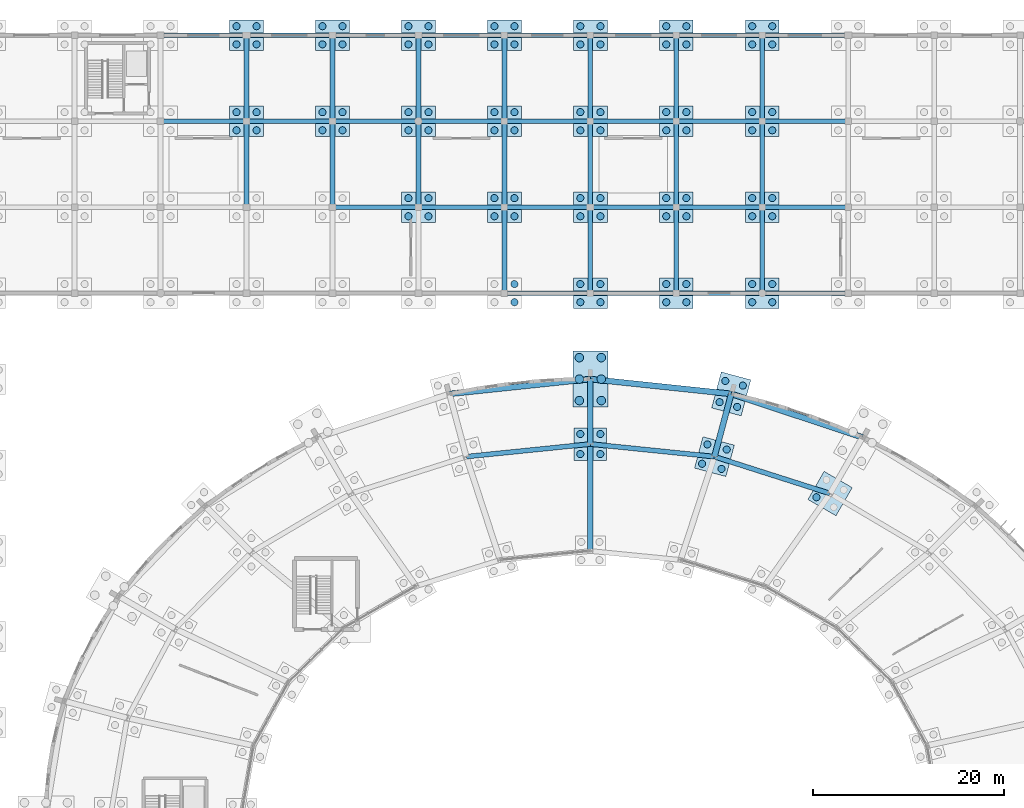
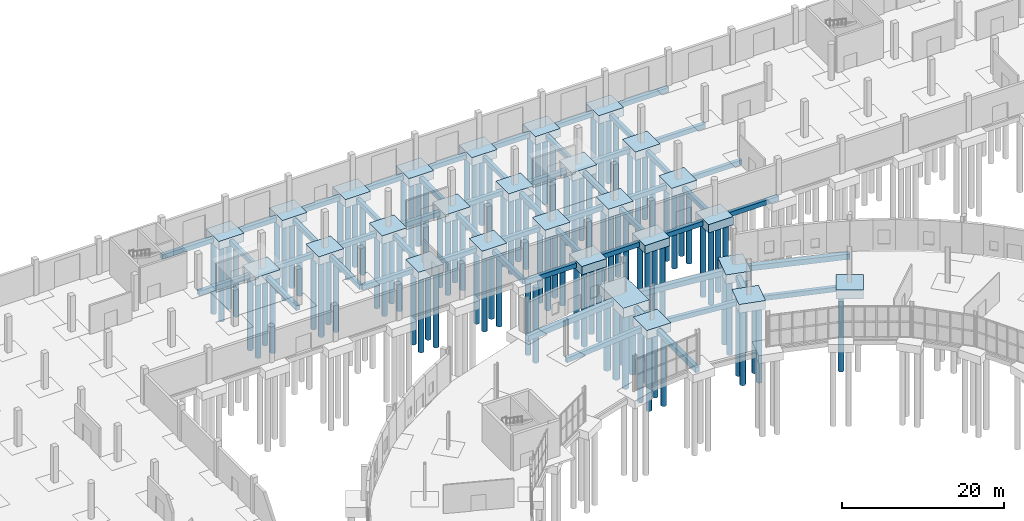
# One storey, part 11 of 118: 109 piles, 80 footings.
"""IFC4 building model written with IfcOpenShell, lengths in metres."""

from ifc_helpers import new_model, si_unit, direction, frame, origin, origin_2d, place, context, subcontext, project, spatial, rectangle, circle, extrude, material, material_profile, profile_set, type_object, element, save


model = new_model("IFC4")

# Units and contexts
model_context = context("Model", 3, precision=1e-05, world=origin(), true_north=direction((0.0, 1.0)))
body_context = subcontext(model_context, "Body", "Model", "MODEL_VIEW")
ifc_project = project(units=[si_unit("LENGTHUNIT", "METRE"), si_unit("AREAUNIT", "SQUARE_METRE"), si_unit("VOLUMEUNIT", "CUBIC_METRE"), si_unit("PLANEANGLEUNIT", "RADIAN"), si_unit("MASSUNIT", "GRAM", prefix="KILO")], contexts=[model_context])

# Site, building, storey
site_placement = place(None, origin())
site = spatial("IfcSite", under=ifc_project, at=site_placement, CompositionType="ELEMENT")
building_placement = place(site_placement, origin())
building = spatial("IfcBuilding", under=site, at=building_placement, Name="Kildeholm Park Wholesale Market", CompositionType="ELEMENT")
storey_placement = place(building_placement, origin())
storey = spatial("IfcBuildingStorey", under=building, at=storey_placement, Name="L00", CompositionType="ELEMENT", Elevation=0.0)

# Piles
ifc_material = material(Name="Concrete C35/45", Category="concrete")
ifc_material_profile_1 = material_profile(ifc_material, circle(Radius=0.375, at=origin_2d()), Name="PILE D750")
ifc_profile_set_1 = profile_set([ifc_material_profile_1], Name="Concrete C35/45")
pile_type_1 = type_object("IfcPileType", Name="Bored pile 750 mm", PredefinedType="BORED", material=ifc_profile_set_1)
for number, where, z_axis, x_axis, name in (
    (1, (122.665771484375, 122.630615234375, -1.199951171875), (0.0, 0.0, -1.0), (1.0, 0.0, 0.0), "Bored pile V1-MD-04.3 PIL-0059"),
    (2, (112.735595703125, 125.594970703125, -1.199951171875), (0.0, 0.0, -1.0), (1.0, 0.0, 0.0), "Bored pile V1-MD-05.1 PIL-0071"),
    (3, (113.279052734375, 127.62353515625, -1.199951171875), (0.0, 0.0, -1.0), (1.0, 0.0, 0.0), "Bored pile V1-MD-05.2 PIL-0072"),
    (4, (110.70703125, 126.138427734375, -1.199951171875), (0.0, 0.0, -1.0), (1.0, 0.0, 0.0), "Bored pile V1-MD-05.3 PIL-0073"),
    (5, (111.25048828125, 128.1669921875, -1.199951171875), (0.0, 0.0, -1.0), (1.0, 0.0, 0.0), "Bored pile V1-MD-05.4 PIL-0074"),
):
    element("IfcPile", number, at=place(storey_placement, frame(where, z_axis=z_axis, x_axis=x_axis)), inside=storey, type_object=pile_type_1, Name=name, PredefinedType="BORED", context=body_context, shape_type="SweptSolid", body=[
        extrude(circle(Radius=0.375, at=origin_2d()), origin(), (0.0, 0.0, 1.0), 11.300048828125),
    ])
for number, where, z_axis, x_axis, name in (
    (6, (114.373046875, 132.09326171875, -1.25), (0.0, 0.0, -1.0), (1.0, 0.0, 0.0), "Bored pile V1-OT-05.1 PIL-0075"),
    (7, (114.96826171875, 134.31494140625, -1.25), (0.0, 0.0, -1.0), (1.0, 0.0, 0.0), "Bored pile V1-OT-05.2 PIL-0076"),
    (8, (112.53759765625, 132.585205078125, -1.25), (0.0, 0.0, -1.0), (1.0, 0.0, 0.0), "Bored pile V1-OT-05.3 PIL-0077"),
    (9, (113.133056640625, 134.806640625, -1.25), (0.0, 0.0, -1.0), (1.0, 0.0, 0.0), "Bored pile V1-OT-05.4 PIL-0078"),
):
    element("IfcPile", number, at=place(storey_placement, frame(where, z_axis=z_axis, x_axis=x_axis)), inside=storey, type_object=pile_type_1, Name=name, PredefinedType="BORED", context=body_context, shape_type="SweptSolid", body=[
        extrude(circle(Radius=0.375, at=origin_2d()), origin(), (0.0, 0.0, 1.0), 11.25),
    ])
for number, where, z_axis, x_axis, name in (
    (10, (100.050048828125, 127.14990234375, -1.199951171875), (0.0, 0.0, -1.0), (1.0, 0.0, 0.0), "Bored pile V1-MD-06.1 PIL-0083"),
    (11, (100.050048828125, 129.25, -1.199951171875), (0.0, 0.0, -1.0), (1.0, 0.0, 0.0), "Bored pile V1-MD-06.2 PIL-0084"),
    (12, (97.949951171875, 127.14990234375, -1.199951171875), (0.0, 0.0, -1.0), (1.0, 0.0, 0.0), "Bored pile V1-MD-06.3 PIL-0085"),
    (13, (97.949951171875, 129.25, -1.199951171875), (0.0, 0.0, -1.0), (1.0, 0.0, 0.0), "Bored pile V1-MD-06.4 PIL-0086"),
):
    element("IfcPile", number, at=place(storey_placement, frame(where, z_axis=z_axis, x_axis=x_axis)), inside=storey, type_object=pile_type_1, Name=name, PredefinedType="BORED", context=body_context, shape_type="SweptSolid", body=[
        extrude(circle(Radius=0.375, at=origin_2d()), origin(), (0.0, 0.0, 1.0), 11.300048828125),
    ])
for number, where, z_axis, x_axis, name in (
    (14, (61.949951171875, 161.050048828125, -1.14990234375), (0.0, 0.0, -1.0), (1.0, 0.0, 0.0), "Bored pile V4-063-162.1 PIL-0645"),
    (15, (64.050048828125, 161.050048828125, -1.14990234375), (0.0, 0.0, -1.0), (1.0, 0.0, 0.0), "Bored pile V4-063-162.2 PIL-0646"),
    (16, (61.949951171875, 162.949951171875, -1.14990234375), (0.0, 0.0, -1.0), (1.0, 0.0, 0.0), "Bored pile V4-063-162.3 PIL-0647"),
    (17, (64.050048828125, 162.949951171875, -1.14990234375), (0.0, 0.0, -1.0), (1.0, 0.0, 0.0), "Bored pile V4-063-162.4 PIL-0648"),
    (18, (61.949951171875, 170.050048828125, -1.14990234375), (0.0, 0.0, -1.0), (1.0, 0.0, 0.0), "Bored pile V4-063-171.1 PIL-0649"),
    (19, (64.050048828125, 170.050048828125, -1.14990234375), (0.0, 0.0, -1.0), (1.0, 0.0, 0.0), "Bored pile V4-063-171.2 PIL-0650"),
    (20, (61.949951171875, 171.949951171875, -1.14990234375), (0.0, 0.0, -1.0), (1.0, 0.0, 0.0), "Bored pile V4-063-171.3 PIL-0651"),
    (21, (64.050048828125, 171.949951171875, -1.14990234375), (0.0, 0.0, -1.0), (1.0, 0.0, 0.0), "Bored pile V4-063-171.4 PIL-0652"),
    (22, (70.949951171875, 161.050048828125, -1.14990234375), (0.0, 0.0, -1.0), (1.0, 0.0, 0.0), "Bored pile V4-072-162.1 PIL-0661"),
    (23, (73.050048828125, 161.050048828125, -1.14990234375), (0.0, 0.0, -1.0), (1.0, 0.0, 0.0), "Bored pile V4-072-162.2 PIL-0662"),
    (24, (70.949951171875, 162.949951171875, -1.14990234375), (0.0, 0.0, -1.0), (1.0, 0.0, 0.0), "Bored pile V4-072-162.3 PIL-0663"),
    (25, (73.050048828125, 162.949951171875, -1.14990234375), (0.0, 0.0, -1.0), (1.0, 0.0, 0.0), "Bored pile V4-072-162.4 PIL-0664"),
    (26, (70.949951171875, 170.050048828125, -1.14990234375), (0.0, 0.0, -1.0), (1.0, 0.0, 0.0), "Bored pile V4-072-171.1 PIL-0665"),
    (27, (73.050048828125, 170.050048828125, -1.14990234375), (0.0, 0.0, -1.0), (1.0, 0.0, 0.0), "Bored pile V4-072-171.2 PIL-0666"),
    (28, (70.949951171875, 171.949951171875, -1.14990234375), (0.0, 0.0, -1.0), (1.0, 0.0, 0.0), "Bored pile V4-072-171.3 PIL-0667"),
    (29, (73.050048828125, 171.949951171875, -1.14990234375), (0.0, 0.0, -1.0), (1.0, 0.0, 0.0), "Bored pile V4-072-171.4 PIL-0668"),
    (30, (79.949951171875, 152.050048828125, -1.14990234375), (0.0, 0.0, -1.0), (1.0, 0.0, 0.0), "Bored pile V4-081-153.1 PIL-0673"),
    (31, (82.050048828125, 152.050048828125, -1.14990234375), (0.0, 0.0, -1.0), (1.0, 0.0, 0.0), "Bored pile V4-081-153.2 PIL-0674"),
    (32, (79.949951171875, 153.949951171875, -1.14990234375), (0.0, 0.0, -1.0), (1.0, 0.0, 0.0), "Bored pile V4-081-153.3 PIL-0675"),
    (33, (82.050048828125, 153.949951171875, -1.14990234375), (0.0, 0.0, -1.0), (1.0, 0.0, 0.0), "Bored pile V4-081-153.4 PIL-0676"),
    (34, (79.949951171875, 161.050048828125, -1.14990234375), (0.0, 0.0, -1.0), (1.0, 0.0, 0.0), "Bored pile V4-081-162.1 PIL-0677"),
    (35, (82.050048828125, 161.050048828125, -1.14990234375), (0.0, 0.0, -1.0), (1.0, 0.0, 0.0), "Bored pile V4-081-162.2 PIL-0678"),
    (36, (79.949951171875, 162.949951171875, -1.14990234375), (0.0, 0.0, -1.0), (1.0, 0.0, 0.0), "Bored pile V4-081-162.3 PIL-0679"),
    (37, (82.050048828125, 162.949951171875, -1.14990234375), (0.0, 0.0, -1.0), (1.0, 0.0, 0.0), "Bored pile V4-081-162.4 PIL-0680"),
    (38, (79.949951171875, 170.050048828125, -1.14990234375), (0.0, 0.0, -1.0), (1.0, 0.0, 0.0), "Bored pile V4-081-171.1 PIL-0681"),
    (39, (82.050048828125, 170.050048828125, -1.14990234375), (0.0, 0.0, -1.0), (1.0, 0.0, 0.0), "Bored pile V4-081-171.2 PIL-0682"),
    (40, (79.949951171875, 171.949951171875, -1.14990234375), (0.0, 0.0, -1.0), (1.0, 0.0, 0.0), "Bored pile V4-081-171.3 PIL-0683"),
    (41, (82.050048828125, 171.949951171875, -1.14990234375), (0.0, 0.0, -1.0), (1.0, 0.0, 0.0), "Bored pile V4-081-171.4 PIL-0684"),
    (42, (91.050048828125, 143.050048828125, -1.14990234375), (0.0, 0.0, -1.0), (1.0, 0.0, 0.0), "Bored pile V4-090-144.2 PIL-0686"),
    (43, (91.050048828125, 144.949951171875, -1.14990234375), (0.0, 0.0, -1.0), (1.0, 0.0, 0.0), "Bored pile V4-090-144.4 PIL-0688"),
    (44, (88.949951171875, 152.050048828125, -1.14990234375), (0.0, 0.0, -1.0), (1.0, 0.0, 0.0), "Bored pile V4-090-153.1 PIL-0689"),
    (45, (91.050048828125, 152.050048828125, -1.14990234375), (0.0, 0.0, -1.0), (1.0, 0.0, 0.0), "Bored pile V4-090-153.2 PIL-0690"),
    (46, (88.949951171875, 153.949951171875, -1.14990234375), (0.0, 0.0, -1.0), (1.0, 0.0, 0.0), "Bored pile V4-090-153.3 PIL-0691"),
    (47, (91.050048828125, 153.949951171875, -1.14990234375), (0.0, 0.0, -1.0), (1.0, 0.0, 0.0), "Bored pile V4-090-153.4 PIL-0692"),
    (48, (88.949951171875, 161.050048828125, -1.14990234375), (0.0, 0.0, -1.0), (1.0, 0.0, 0.0), "Bored pile V4-090-162.1 PIL-0693"),
    (49, (91.050048828125, 161.050048828125, -1.14990234375), (0.0, 0.0, -1.0), (1.0, 0.0, 0.0), "Bored pile V4-090-162.2 PIL-0694"),
    (50, (88.949951171875, 162.949951171875, -1.14990234375), (0.0, 0.0, -1.0), (1.0, 0.0, 0.0), "Bored pile V4-090-162.3 PIL-0695"),
    (51, (91.050048828125, 162.949951171875, -1.14990234375), (0.0, 0.0, -1.0), (1.0, 0.0, 0.0), "Bored pile V4-090-162.4 PIL-0696"),
    (52, (88.949951171875, 170.050048828125, -1.14990234375), (0.0, 0.0, -1.0), (1.0, 0.0, 0.0), "Bored pile V4-090-171.1 PIL-0697"),
    (53, (91.050048828125, 170.050048828125, -1.14990234375), (0.0, 0.0, -1.0), (1.0, 0.0, 0.0), "Bored pile V4-090-171.2 PIL-0698"),
    (54, (88.949951171875, 171.949951171875, -1.14990234375), (0.0, 0.0, -1.0), (1.0, 0.0, 0.0), "Bored pile V4-090-171.3 PIL-0699"),
    (55, (91.050048828125, 171.949951171875, -1.14990234375), (0.0, 0.0, -1.0), (1.0, 0.0, 0.0), "Bored pile V4-090-171.4 PIL-0700"),
    (56, (97.949951171875, 143.050048828125, -1.14990234375), (0.0, 0.0, -1.0), (1.0, 0.0, 0.0), "Bored pile V4-099-144.1 PIL-0701"),
    (57, (100.050048828125, 143.050048828125, -1.14990234375), (0.0, 0.0, -1.0), (1.0, 0.0, 0.0), "Bored pile V4-099-144.2 PIL-0702"),
    (58, (97.949951171875, 144.949951171875, -1.14990234375), (0.0, 0.0, -1.0), (1.0, 0.0, 0.0), "Bored pile V4-099-144.3 PIL-0703"),
    (59, (100.050048828125, 144.949951171875, -1.14990234375), (0.0, 0.0, -1.0), (1.0, 0.0, 0.0), "Bored pile V4-099-144.4 PIL-0704"),
    (60, (97.949951171875, 152.050048828125, -1.14990234375), (0.0, 0.0, -1.0), (1.0, 0.0, 0.0), "Bored pile V4-099-153.1 PIL-0705"),
    (61, (100.050048828125, 152.050048828125, -1.14990234375), (0.0, 0.0, -1.0), (1.0, 0.0, 0.0), "Bored pile V4-099-153.2 PIL-0706"),
    (62, (97.949951171875, 153.949951171875, -1.14990234375), (0.0, 0.0, -1.0), (1.0, 0.0, 0.0), "Bored pile V4-099-153.3 PIL-0707"),
    (63, (100.050048828125, 153.949951171875, -1.14990234375), (0.0, 0.0, -1.0), (1.0, 0.0, 0.0), "Bored pile V4-099-153.4 PIL-0708"),
    (64, (97.949951171875, 161.050048828125, -1.14990234375), (0.0, 0.0, -1.0), (1.0, 0.0, 0.0), "Bored pile V4-099-162.1 PIL-0709"),
    (65, (100.050048828125, 161.050048828125, -1.14990234375), (0.0, 0.0, -1.0), (1.0, 0.0, 0.0), "Bored pile V4-099-162.2 PIL-0710"),
    (66, (97.949951171875, 162.949951171875, -1.14990234375), (0.0, 0.0, -1.0), (1.0, 0.0, 0.0), "Bored pile V4-099-162.3 PIL-0711"),
    (67, (100.050048828125, 162.949951171875, -1.14990234375), (0.0, 0.0, -1.0), (1.0, 0.0, 0.0), "Bored pile V4-099-162.4 PIL-0712"),
    (68, (97.949951171875, 170.050048828125, -1.14990234375), (0.0, 0.0, -1.0), (1.0, 0.0, 0.0), "Bored pile V4-099-171.1 PIL-0713"),
    (69, (100.050048828125, 170.050048828125, -1.14990234375), (0.0, 0.0, -1.0), (1.0, 0.0, 0.0), "Bored pile V4-099-171.2 PIL-0714"),
    (70, (97.949951171875, 171.949951171875, -1.14990234375), (0.0, 0.0, -1.0), (1.0, 0.0, 0.0), "Bored pile V4-099-171.3 PIL-0715"),
    (71, (100.050048828125, 171.949951171875, -1.14990234375), (0.0, 0.0, -1.0), (1.0, 0.0, 0.0), "Bored pile V4-099-171.4 PIL-0716"),
    (72, (106.949951171875, 143.050048828125, -1.14990234375), (0.0, 0.0, -1.0), (1.0, 0.0, 0.0), "Bored pile V4-108-144.1 PIL-0717"),
    (73, (109.050048828125, 143.050048828125, -1.14990234375), (0.0, 0.0, -1.0), (1.0, 0.0, 0.0), "Bored pile V4-108-144.2 PIL-0718"),
    (74, (106.949951171875, 144.949951171875, -1.14990234375), (0.0, 0.0, -1.0), (1.0, 0.0, 0.0), "Bored pile V4-108-144.3 PIL-0719"),
    (75, (109.050048828125, 144.949951171875, -1.14990234375), (0.0, 0.0, -1.0), (1.0, 0.0, 0.0), "Bored pile V4-108-144.4 PIL-0720"),
    (76, (106.949951171875, 152.050048828125, -1.14990234375), (0.0, 0.0, -1.0), (1.0, 0.0, 0.0), "Bored pile V4-108-153.1 PIL-0721"),
    (77, (109.050048828125, 152.050048828125, -1.14990234375), (0.0, 0.0, -1.0), (1.0, 0.0, 0.0), "Bored pile V4-108-153.2 PIL-0722"),
    (78, (106.949951171875, 153.949951171875, -1.14990234375), (0.0, 0.0, -1.0), (1.0, 0.0, 0.0), "Bored pile V4-108-153.3 PIL-0723"),
    (79, (109.050048828125, 153.949951171875, -1.14990234375), (0.0, 0.0, -1.0), (1.0, 0.0, 0.0), "Bored pile V4-108-153.4 PIL-0724"),
    (80, (106.949951171875, 161.050048828125, -1.14990234375), (0.0, 0.0, -1.0), (1.0, 0.0, 0.0), "Bored pile V4-108-162.1 PIL-0725"),
    (81, (109.050048828125, 161.050048828125, -1.14990234375), (0.0, 0.0, -1.0), (1.0, 0.0, 0.0), "Bored pile V4-108-162.2 PIL-0726"),
    (82, (106.949951171875, 162.949951171875, -1.14990234375), (0.0, 0.0, -1.0), (1.0, 0.0, 0.0), "Bored pile V4-108-162.3 PIL-0727"),
    (83, (109.050048828125, 162.949951171875, -1.14990234375), (0.0, 0.0, -1.0), (1.0, 0.0, 0.0), "Bored pile V4-108-162.4 PIL-0728"),
    (84, (106.949951171875, 170.050048828125, -1.14990234375), (0.0, 0.0, -1.0), (1.0, 0.0, 0.0), "Bored pile V4-108-171.1 PIL-0729"),
    (85, (109.050048828125, 170.050048828125, -1.14990234375), (0.0, 0.0, -1.0), (1.0, 0.0, 0.0), "Bored pile V4-108-171.2 PIL-0730"),
    (86, (106.949951171875, 171.949951171875, -1.14990234375), (0.0, 0.0, -1.0), (1.0, 0.0, 0.0), "Bored pile V4-108-171.3 PIL-0731"),
    (87, (109.050048828125, 171.949951171875, -1.14990234375), (0.0, 0.0, -1.0), (1.0, 0.0, 0.0), "Bored pile V4-108-171.4 PIL-0732"),
    (88, (115.949951171875, 143.050048828125, -1.14990234375), (0.0, 0.0, -1.0), (1.0, 0.0, 0.0), "Bored pile V4-117-144.1 PIL-0733"),
    (89, (118.050048828125, 143.050048828125, -1.14990234375), (0.0, 0.0, -1.0), (1.0, 0.0, 0.0), "Bored pile V4-117-144.2 PIL-0734"),
    (90, (115.949951171875, 144.949951171875, -1.14990234375), (0.0, 0.0, -1.0), (1.0, 0.0, 0.0), "Bored pile V4-117-144.3 PIL-0735"),
    (91, (118.050048828125, 144.949951171875, -1.14990234375), (0.0, 0.0, -1.0), (1.0, 0.0, 0.0), "Bored pile V4-117-144.4 PIL-0736"),
    (92, (115.949951171875, 152.050048828125, -1.14990234375), (0.0, 0.0, -1.0), (1.0, 0.0, 0.0), "Bored pile V4-117-153.1 PIL-0737"),
    (93, (118.050048828125, 152.050048828125, -1.14990234375), (0.0, 0.0, -1.0), (1.0, 0.0, 0.0), "Bored pile V4-117-153.2 PIL-0738"),
    (94, (115.949951171875, 153.949951171875, -1.14990234375), (0.0, 0.0, -1.0), (1.0, 0.0, 0.0), "Bored pile V4-117-153.3 PIL-0739"),
    (95, (118.050048828125, 153.949951171875, -1.14990234375), (0.0, 0.0, -1.0), (1.0, 0.0, 0.0), "Bored pile V4-117-153.4 PIL-0740"),
    (96, (115.949951171875, 161.050048828125, -1.14990234375), (0.0, 0.0, -1.0), (1.0, 0.0, 0.0), "Bored pile V4-117-162.1 PIL-0741"),
    (97, (118.050048828125, 161.050048828125, -1.14990234375), (0.0, 0.0, -1.0), (1.0, 0.0, 0.0), "Bored pile V4-117-162.2 PIL-0742"),
    (98, (115.949951171875, 162.949951171875, -1.14990234375), (0.0, 0.0, -1.0), (1.0, 0.0, 0.0), "Bored pile V4-117-162.3 PIL-0743"),
    (99, (118.050048828125, 162.949951171875, -1.14990234375), (0.0, 0.0, -1.0), (1.0, 0.0, 0.0), "Bored pile V4-117-162.4 PIL-0744"),
    (100, (115.949951171875, 170.050048828125, -1.14990234375), (0.0, 0.0, -1.0), (1.0, 0.0, 0.0), "Bored pile V4-117-171.1 PIL-0745"),
    (101, (118.050048828125, 170.050048828125, -1.14990234375), (0.0, 0.0, -1.0), (1.0, 0.0, 0.0), "Bored pile V4-117-171.2 PIL-0746"),
    (102, (115.949951171875, 171.949951171875, -1.14990234375), (0.0, 0.0, -1.0), (1.0, 0.0, 0.0), "Bored pile V4-117-171.3 PIL-0747"),
    (103, (118.050048828125, 171.949951171875, -1.14990234375), (0.0, 0.0, -1.0), (1.0, 0.0, 0.0), "Bored pile V4-117-171.4 PIL-0748"),
):
    element("IfcPile", number, at=place(storey_placement, frame(where, z_axis=z_axis, x_axis=x_axis)), inside=storey, type_object=pile_type_1, Name=name, PredefinedType="BORED", context=body_context, shape_type="SweptSolid", body=[
        extrude(circle(Radius=0.375, at=origin_2d()), origin(), (0.0, 0.0, 1.0), 11.35009765625),
    ])
ifc_material_profile_2 = material_profile(ifc_material, circle(Radius=0.449951171875, at=origin_2d()), Name="PILE D900")
ifc_profile_set_2 = profile_set([ifc_material_profile_2], Name="Concrete C35/45")
pile_type_2 = type_object("IfcPileType", Name="Bored pile 900 mm", PredefinedType="BORED", material=ifc_profile_set_2)
for number, where, z_axis, x_axis, name in (
    (104, (100.14990234375, 132.75, -1.35009765625), (0.0, 0.0, -1.0), (1.0, 0.0, 0.0), "Bored pile V1-OT-06.1 PIL-0087"),
    (105, (100.14990234375, 135.0, -1.35009765625), (0.0, 0.0, -1.0), (1.0, 0.0, 0.0), "Bored pile V1-OT-06.2 PIL-0088"),
    (106, (100.14990234375, 137.25, -1.35009765625), (0.0, 0.0, -1.0), (1.0, 0.0, 0.0), "Bored pile V1-OT-06.3 PIL-0089"),
    (107, (97.85009765625, 132.75, -1.35009765625), (0.0, 0.0, -1.0), (1.0, 0.0, 0.0), "Bored pile V1-OT-06.4 PIL-0090"),
    (108, (97.85009765625, 135.0, -1.35009765625), (0.0, 0.0, -1.0), (1.0, 0.0, 0.0), "Bored pile V1-OT-06.5 PIL-0091"),
    (109, (97.85009765625, 137.25, -1.35009765625), (0.0, 0.0, -1.0), (1.0, 0.0, 0.0), "Bored pile V1-OT-06.6 PIL-0092"),
):
    element("IfcPile", number, at=place(storey_placement, frame(where, z_axis=z_axis, x_axis=x_axis)), inside=storey, type_object=pile_type_2, Name=name, PredefinedType="BORED", context=body_context, shape_type="SweptSolid", body=[
        extrude(circle(Radius=0.449951171875, at=origin_2d()), origin(), (0.0, 0.0, 1.0), 11.14990234375),
    ])

# Footings
ifc_material_profile_3 = material_profile(ifc_material, rectangle(XDim=0.5, YDim=0.699951171875, at=origin_2d()), Name="FB 500x700")
ifc_profile_set_3 = profile_set([ifc_material_profile_3], Name="Concrete C35/45")
footing_type_1 = type_object("IfcFootingType", Name="Ground tie beam GB-1 FB 500x700", PredefinedType="FOOTING_BEAM", material=ifc_profile_set_3)
footing_1_placement = place(storey_placement, frame((124.10009765625, 123.014892578125, -0.64990234375), z_axis=(-0.952608649326, 0.304198555599, 0.0), x_axis=(-0.304198555599, -0.952608649326, 0.0)))
element("IfcFooting", 110, at=footing_1_placement, inside=storey, type_object=footing_type_1, Name="Ground tie beam GB-V1-CMD-04 FTG-0096", PredefinedType="FOOTING_BEAM", context=body_context, shape_type="SweptSolid", body=[
    extrude(rectangle(XDim=0.5, YDim=0.699951171875, at=origin_2d()), origin(), (0.0, 0.0, 1.0), 12.70947265625),
])
for number, where, z_axis, x_axis, name in (
    (111, (111.992919921875, 126.881103515625, -0.64990234375), (-0.994887827563, 0.100986189979, 0.0), (-0.100986189979, -0.994887827563, 0.0), "Ground tie beam GB-V1-CMD-05 FTG-0101"),
    (112, (99.0, 128.199951171875, -0.64990234375), (-0.994887827563, -0.100986189979, 0.0), (0.100986189979, -0.994887827563, 0.0), "Ground tie beam GB-V1-CMD-06 FTG-0106"),
):
    element("IfcFooting", number, at=place(storey_placement, frame(where, z_axis=z_axis, x_axis=x_axis)), inside=storey, type_object=footing_type_1, Name=name, PredefinedType="FOOTING_BEAM", context=body_context, shape_type="SweptSolid", body=[
        extrude(rectangle(XDim=0.5, YDim=0.699951171875, at=origin_2d()), origin(), (0.0, 0.0, 1.0), 13.0595703125),
    ])
for number, where, z_axis, x_axis, name in (
    (113, (54.0, 162.0, -0.64990234375), (1.0, 0.0, 0.0), (0.0, 1.0, 0.0), "Ground tie beam GB-V4-X-054-162 FTG-0489"),
    (114, (54.0, 171.0, -0.64990234375), (1.0, 0.0, 0.0), (0.0, 1.0, 0.0), "Ground tie beam GB-V4-X-054-171 FTG-0491"),
    (115, (63.0, 153.0, -0.64990234375), (0.0, 1.0, 0.0), (-1.0, 0.0, 0.0), "Ground tie beam GB-V4-Y-063-153 FTG-0495"),
    (116, (63.0, 162.0, -0.64990234375), (1.0, 0.0, 0.0), (0.0, 1.0, 0.0), "Ground tie beam GB-V4-X-063-162 FTG-0496"),
    (117, (63.0, 162.0, -0.64990234375), (0.0, 1.0, 0.0), (-1.0, 0.0, 0.0), "Ground tie beam GB-V4-Y-063-162 FTG-0497"),
    (118, (63.0, 171.0, -0.64990234375), (1.0, 0.0, 0.0), (0.0, 1.0, 0.0), "Ground tie beam GB-V4-X-063-171 FTG-0498"),
    (119, (72.0, 153.0, -0.64990234375), (1.0, 0.0, 0.0), (0.0, 1.0, 0.0), "Ground tie beam GB-V4-X-072-153 FTG-0501"),
    (120, (72.0, 153.0, -0.64990234375), (0.0, 1.0, 0.0), (-1.0, 0.0, 0.0), "Ground tie beam GB-V4-Y-072-153 FTG-0502"),
    (121, (72.0, 162.0, -0.64990234375), (1.0, 0.0, 0.0), (0.0, 1.0, 0.0), "Ground tie beam GB-V4-X-072-162 FTG-0503"),
    (122, (72.0, 162.0, -0.64990234375), (0.0, 1.0, 0.0), (-1.0, 0.0, 0.0), "Ground tie beam GB-V4-Y-072-162 FTG-0504"),
    (123, (72.0, 171.0, -0.64990234375), (1.0, 0.0, 0.0), (0.0, 1.0, 0.0), "Ground tie beam GB-V4-X-072-171 FTG-0505"),
    (124, (81.0, 153.0, -0.64990234375), (1.0, 0.0, 0.0), (0.0, 1.0, 0.0), "Ground tie beam GB-V4-X-081-153 FTG-0508"),
    (125, (81.0, 153.0, -0.64990234375), (0.0, 1.0, 0.0), (-1.0, 0.0, 0.0), "Ground tie beam GB-V4-Y-081-153 FTG-0509"),
    (126, (81.0, 162.0, -0.64990234375), (1.0, 0.0, 0.0), (0.0, 1.0, 0.0), "Ground tie beam GB-V4-X-081-162 FTG-0510"),
    (127, (81.0, 162.0, -0.64990234375), (0.0, 1.0, 0.0), (-1.0, 0.0, 0.0), "Ground tie beam GB-V4-Y-081-162 FTG-0511"),
    (128, (81.0, 171.0, -0.64990234375), (1.0, 0.0, 0.0), (0.0, 1.0, 0.0), "Ground tie beam GB-V4-X-081-171 FTG-0512"),
    (129, (90.0, 144.0, -0.64990234375), (1.0, 0.0, 0.0), (0.0, 1.0, 0.0), "Ground tie beam GB-V4-X-090-144 FTG-0513"),
    (130, (90.0, 144.0, -0.64990234375), (0.0, 1.0, 0.0), (-1.0, 0.0, 0.0), "Ground tie beam GB-V4-Y-090-144 FTG-0514"),
    (131, (90.0, 153.0, -0.64990234375), (1.0, 0.0, 0.0), (0.0, 1.0, 0.0), "Ground tie beam GB-V4-X-090-153 FTG-0515"),
    (132, (90.0, 153.0, -0.64990234375), (0.0, 1.0, 0.0), (-1.0, 0.0, 0.0), "Ground tie beam GB-V4-Y-090-153 FTG-0516"),
    (133, (90.0, 162.0, -0.64990234375), (1.0, 0.0, 0.0), (0.0, 1.0, 0.0), "Ground tie beam GB-V4-X-090-162 FTG-0517"),
    (134, (90.0, 162.0, -0.64990234375), (0.0, 1.0, 0.0), (-1.0, 0.0, 0.0), "Ground tie beam GB-V4-Y-090-162 FTG-0518"),
    (135, (90.0, 171.0, -0.64990234375), (1.0, 0.0, 0.0), (0.0, 1.0, 0.0), "Ground tie beam GB-V4-X-090-171 FTG-0519"),
    (136, (99.0, 144.0, -0.64990234375), (1.0, 0.0, 0.0), (0.0, 1.0, 0.0), "Ground tie beam GB-V4-X-099-144 FTG-0520"),
    (137, (99.0, 144.0, -0.64990234375), (0.0, 1.0, 0.0), (-1.0, 0.0, 0.0), "Ground tie beam GB-V4-Y-099-144 FTG-0521"),
    (138, (99.0, 153.0, -0.64990234375), (1.0, 0.0, 0.0), (0.0, 1.0, 0.0), "Ground tie beam GB-V4-X-099-153 FTG-0522"),
    (139, (99.0, 153.0, -0.64990234375), (0.0, 1.0, 0.0), (-1.0, 0.0, 0.0), "Ground tie beam GB-V4-Y-099-153 FTG-0523"),
    (140, (99.0, 162.0, -0.64990234375), (1.0, 0.0, 0.0), (0.0, 1.0, 0.0), "Ground tie beam GB-V4-X-099-162 FTG-0524"),
    (141, (99.0, 162.0, -0.64990234375), (0.0, 1.0, 0.0), (-1.0, 0.0, 0.0), "Ground tie beam GB-V4-Y-099-162 FTG-0525"),
    (142, (99.0, 171.0, -0.64990234375), (1.0, 0.0, 0.0), (0.0, 1.0, 0.0), "Ground tie beam GB-V4-X-099-171 FTG-0526"),
    (143, (108.0, 144.0, -0.64990234375), (1.0, 0.0, 0.0), (0.0, 1.0, 0.0), "Ground tie beam GB-V4-X-108-144 FTG-0527"),
    (144, (108.0, 144.0, -0.64990234375), (0.0, 1.0, 0.0), (-1.0, 0.0, 0.0), "Ground tie beam GB-V4-Y-108-144 FTG-0528"),
    (145, (108.0, 153.0, -0.64990234375), (1.0, 0.0, 0.0), (0.0, 1.0, 0.0), "Ground tie beam GB-V4-X-108-153 FTG-0529"),
    (146, (108.0, 153.0, -0.64990234375), (0.0, 1.0, 0.0), (-1.0, 0.0, 0.0), "Ground tie beam GB-V4-Y-108-153 FTG-0530"),
    (147, (108.0, 162.0, -0.64990234375), (1.0, 0.0, 0.0), (0.0, 1.0, 0.0), "Ground tie beam GB-V4-X-108-162 FTG-0531"),
    (148, (108.0, 162.0, -0.64990234375), (0.0, 1.0, 0.0), (-1.0, 0.0, 0.0), "Ground tie beam GB-V4-Y-108-162 FTG-0532"),
    (149, (108.0, 171.0, -0.64990234375), (1.0, 0.0, 0.0), (0.0, 1.0, 0.0), "Ground tie beam GB-V4-X-108-171 FTG-0533"),
    (150, (117.0, 144.0, -0.64990234375), (1.0, 0.0, 0.0), (0.0, 1.0, 0.0), "Ground tie beam GB-V4-X-117-144 FTG-0534"),
    (151, (117.0, 144.0, -0.64990234375), (0.0, 1.0, 0.0), (-1.0, 0.0, 0.0), "Ground tie beam GB-V4-Y-117-144 FTG-0535"),
    (152, (117.0, 153.0, -0.64990234375), (1.0, 0.0, 0.0), (0.0, 1.0, 0.0), "Ground tie beam GB-V4-X-117-153 FTG-0536"),
    (153, (117.0, 153.0, -0.64990234375), (0.0, 1.0, 0.0), (-1.0, 0.0, 0.0), "Ground tie beam GB-V4-Y-117-153 FTG-0537"),
    (154, (117.0, 162.0, -0.64990234375), (1.0, 0.0, 0.0), (0.0, 1.0, 0.0), "Ground tie beam GB-V4-X-117-162 FTG-0538"),
    (155, (117.0, 162.0, -0.64990234375), (0.0, 1.0, 0.0), (-1.0, 0.0, 0.0), "Ground tie beam GB-V4-Y-117-162 FTG-0539"),
    (156, (117.0, 171.0, -0.64990234375), (1.0, 0.0, 0.0), (0.0, 1.0, 0.0), "Ground tie beam GB-V4-X-117-171 FTG-0540"),
):
    element("IfcFooting", number, at=place(storey_placement, frame(where, z_axis=z_axis, x_axis=x_axis)), inside=storey, type_object=footing_type_1, Name=name, PredefinedType="FOOTING_BEAM", context=body_context, shape_type="SweptSolid", body=[
        extrude(rectangle(XDim=0.5, YDim=0.699951171875, at=origin_2d()), origin(), (0.0, 0.0, 1.0), 9.0),
    ])
ifc_material_profile_4 = material_profile(ifc_material, rectangle(XDim=0.60009765625, YDim=0.800048828125, at=origin_2d()), Name="FB 600x800")
ifc_profile_set_4 = profile_set([ifc_material_profile_4], Name="Concrete C35/45")
footing_type_2 = type_object("IfcFootingType", Name="Ground tie beam GB-2 FB 600x800", PredefinedType="FOOTING_BEAM", material=ifc_profile_set_4)
footing_2_placement = place(storey_placement, frame((127.5, 128.904052734375, -0.699951171875), z_axis=(-0.949435985478, 0.313960681424, 0.0), x_axis=(-0.313960681424, -0.949435985478, 0.0)))
element("IfcFooting", 157, at=footing_2_placement, inside=storey, type_object=footing_type_2, Name="Ground tie beam GB-V1-COT-04 FTG-0097", PredefinedType="FOOTING_BEAM", context=body_context, shape_type="SweptSolid", body=[
    extrude(rectangle(XDim=0.60009765625, YDim=0.800048828125, at=origin_2d()), origin(), (0.0, 0.0, 1.0), 14.479248046875),
])
footing_3_placement = place(storey_placement, frame((111.992919921875, 126.881103515625, -0.699951171875), z_axis=(0.258804274594, 0.965929783914, 0.0), x_axis=(-0.965929783914, 0.258804274594, 0.0)))
element("IfcFooting", 158, at=footing_3_placement, inside=storey, type_object=footing_type_2, Name="Ground tie beam GB-V1-RAD2-05 FTG-0099", PredefinedType="FOOTING_BEAM", context=body_context, shape_type="SweptSolid", body=[
    extrude(rectangle(XDim=0.60009765625, YDim=0.800048828125, at=origin_2d()), origin(), (0.0, 0.0, 1.0), 6.800537109375),
])
footing_4_placement = place(storey_placement, frame((113.7529296875, 133.449951171875, -0.699951171875), z_axis=(-0.99452572496, 0.104492020715, 0.0), x_axis=(-0.104492020715, -0.99452572496, 0.0)))
element("IfcFooting", 159, at=footing_4_placement, inside=storey, type_object=footing_type_2, Name="Ground tie beam GB-V1-COT-05 FTG-0102", PredefinedType="FOOTING_BEAM", context=body_context, shape_type="SweptSolid", body=[
    extrude(rectangle(XDim=0.60009765625, YDim=0.800048828125, at=origin_2d()), origin(), (0.0, 0.0, 1.0), 14.834228515625),
])
footing_5_placement = place(storey_placement, frame((99.0, 117.0, -0.699951171875), z_axis=(0.0, 1.0, 0.0), x_axis=(-1.0, 0.0, 0.0)))
element("IfcFooting", 160, at=footing_5_placement, inside=storey, type_object=footing_type_2, Name="Ground tie beam GB-V1-RAD1-06 FTG-0103", PredefinedType="FOOTING_BEAM", context=body_context, shape_type="SweptSolid", body=[
    extrude(rectangle(XDim=0.60009765625, YDim=0.800048828125, at=origin_2d()), origin(), (0.0, 0.0, 1.0), 11.199951171875),
])
footing_6_placement = place(storey_placement, frame((99.0, 128.199951171875, -0.699951171875), z_axis=(0.0, 1.0, 0.0), x_axis=(-1.0, 0.0, 0.0)))
element("IfcFooting", 161, at=footing_6_placement, inside=storey, type_object=footing_type_2, Name="Ground tie beam GB-V1-RAD2-06 FTG-0104", PredefinedType="FOOTING_BEAM", context=body_context, shape_type="SweptSolid", body=[
    extrude(rectangle(XDim=0.60009765625, YDim=0.800048828125, at=origin_2d()), origin(), (0.0, 0.0, 1.0), 6.800048828125),
])
footing_7_placement = place(storey_placement, frame((99.0, 135.0, -0.699951171875), z_axis=(-0.99452572496, -0.104492020715, 0.0), x_axis=(0.104492020715, -0.99452572496, 0.0)))
element("IfcFooting", 162, at=footing_7_placement, inside=storey, type_object=footing_type_2, Name="Ground tie beam GB-V1-COT-06 FTG-0107", PredefinedType="FOOTING_BEAM", context=body_context, shape_type="SweptSolid", body=[
    extrude(rectangle(XDim=0.60009765625, YDim=0.800048828125, at=origin_2d()), origin(), (0.0, 0.0, 1.0), 14.834228515625),
])
footing_type_3 = type_object("IfcFootingType", Name="Pile cap PC-4C 3400x3400x1300", PredefinedType="PILE_CAP", material=ifc_material)
for number, where, z_axis, x_axis, name in (
    (163, (124.10009765625, 123.014892578125, -1.2998046875), (0.0, 0.0, 1.0), (0.5, 0.866025403784, 0.0), "Pile cap V1-MD-04 FTG-0014"),
    (164, (111.992919921875, 126.881103515625, -1.2998046875), (0.0, 0.0, 1.0), (0.258819045103, 0.965925826289, 0.0), "Pile cap V1-MD-05 FTG-0017"),
    (165, (99.0, 128.199951171875, -1.2998046875), (0.0, 0.0, 1.0), (0.0, 1.0, 0.0), "Pile cap V1-MD-06 FTG-0020"),
):
    element("IfcFooting", number, at=place(storey_placement, frame(where, z_axis=z_axis, x_axis=x_axis)), inside=storey, type_object=footing_type_3, Name=name, PredefinedType="PILE_CAP", context=body_context, shape_type="SweptSolid", body=[
        extrude(rectangle(XDim=3.39990234375, YDim=3.39990234375, at=origin_2d()), origin(), (0.0, 0.0, 1.0), 1.300048828125),
    ])
footing_type_4 = type_object("IfcFootingType", Name="Pile cap PC-4D 3550x3200x1250", PredefinedType="PILE_CAP", material=ifc_material)
for number, where, z_axis, x_axis, name in (
    (166, (63.0, 162.0, -1.25), (0.0, 0.0, 1.0), (1.0, 0.0, 0.0), "Pile cap V4-063-162 FTG-0344"),
    (167, (63.0, 171.0, -1.25), (0.0, 0.0, 1.0), (1.0, 0.0, 0.0), "Pile cap V4-063-171 FTG-0345"),
    (168, (72.0, 162.0, -1.25), (0.0, 0.0, 1.0), (1.0, 0.0, 0.0), "Pile cap V4-072-162 FTG-0348"),
    (169, (72.0, 171.0, -1.25), (0.0, 0.0, 1.0), (1.0, 0.0, 0.0), "Pile cap V4-072-171 FTG-0349"),
    (170, (81.0, 153.0, -1.25), (0.0, 0.0, 1.0), (1.0, 0.0, 0.0), "Pile cap V4-081-153 FTG-0351"),
    (171, (81.0, 162.0, -1.25), (0.0, 0.0, 1.0), (1.0, 0.0, 0.0), "Pile cap V4-081-162 FTG-0352"),
    (172, (81.0, 171.0, -1.25), (0.0, 0.0, 1.0), (1.0, 0.0, 0.0), "Pile cap V4-081-171 FTG-0353"),
    (173, (90.0, 153.0, -1.25), (0.0, 0.0, 1.0), (1.0, 0.0, 0.0), "Pile cap V4-090-153 FTG-0355"),
    (174, (90.0, 162.0, -1.25), (0.0, 0.0, 1.0), (1.0, 0.0, 0.0), "Pile cap V4-090-162 FTG-0356"),
    (175, (90.0, 171.0, -1.25), (0.0, 0.0, 1.0), (1.0, 0.0, 0.0), "Pile cap V4-090-171 FTG-0357"),
    (176, (99.0, 144.0, -1.25), (0.0, 0.0, 1.0), (1.0, 0.0, 0.0), "Pile cap V4-099-144 FTG-0358"),
    (177, (99.0, 153.0, -1.25), (0.0, 0.0, 1.0), (1.0, 0.0, 0.0), "Pile cap V4-099-153 FTG-0359"),
    (178, (99.0, 162.0, -1.25), (0.0, 0.0, 1.0), (1.0, 0.0, 0.0), "Pile cap V4-099-162 FTG-0360"),
    (179, (99.0, 171.0, -1.25), (0.0, 0.0, 1.0), (1.0, 0.0, 0.0), "Pile cap V4-099-171 FTG-0361"),
    (180, (108.0, 144.0, -1.25), (0.0, 0.0, 1.0), (1.0, 0.0, 0.0), "Pile cap V4-108-144 FTG-0362"),
    (181, (108.0, 153.0, -1.25), (0.0, 0.0, 1.0), (1.0, 0.0, 0.0), "Pile cap V4-108-153 FTG-0363"),
    (182, (108.0, 162.0, -1.25), (0.0, 0.0, 1.0), (1.0, 0.0, 0.0), "Pile cap V4-108-162 FTG-0364"),
    (183, (108.0, 171.0, -1.25), (0.0, 0.0, 1.0), (1.0, 0.0, 0.0), "Pile cap V4-108-171 FTG-0365"),
    (184, (117.0, 144.0, -1.25), (0.0, 0.0, 1.0), (1.0, 0.0, 0.0), "Pile cap V4-117-144 FTG-0366"),
    (185, (117.0, 153.0, -1.25), (0.0, 0.0, 1.0), (1.0, 0.0, 0.0), "Pile cap V4-117-153 FTG-0367"),
    (186, (117.0, 162.0, -1.25), (0.0, 0.0, 1.0), (1.0, 0.0, 0.0), "Pile cap V4-117-162 FTG-0368"),
    (187, (117.0, 171.0, -1.25), (0.0, 0.0, 1.0), (1.0, 0.0, 0.0), "Pile cap V4-117-171 FTG-0369"),
):
    element("IfcFooting", number, at=place(storey_placement, frame(where, z_axis=z_axis, x_axis=x_axis)), inside=storey, type_object=footing_type_4, Name=name, PredefinedType="PILE_CAP", context=body_context, shape_type="SweptSolid", body=[
        extrude(rectangle(XDim=3.550048828125, YDim=3.199951171875, at=origin_2d()), origin(), (0.0, 0.0, 1.0), 1.25),
    ])
footing_type_5 = type_object("IfcFootingType", Name="Pile cap PC-4E 3900x3200x1350", PredefinedType="PILE_CAP", material=ifc_material)
footing_8_placement = place(storey_placement, frame((113.7529296875, 133.449951171875, -1.35009765625), z_axis=(0.0, 0.0, 1.0), x_axis=(0.258819045103, 0.965925826289, 0.0)))
element("IfcFooting", 188, at=footing_8_placement, inside=storey, type_object=footing_type_5, Name="Pile cap V1-OT-05 FTG-0018", PredefinedType="PILE_CAP", context=body_context, shape_type="SweptSolid", body=[
    extrude(rectangle(XDim=3.89990234375, YDim=3.199951171875, at=origin_2d()), origin(), (0.0, 0.0, 1.0), 1.35009765625),
])
footing_type_6 = type_object("IfcFootingType", Name="Pile cap PC-6A 5850x3650x1450", PredefinedType="PILE_CAP", material=ifc_material)
footing_9_placement = place(storey_placement, frame((99.0, 135.0, -1.4501953125), z_axis=(0.0, 0.0, 1.0), x_axis=(0.0, 1.0, 0.0)))
element("IfcFooting", 189, at=footing_9_placement, inside=storey, type_object=footing_type_6, Name="Pile cap V1-OT-06 FTG-0021", PredefinedType="PILE_CAP", context=body_context, shape_type="SweptSolid", body=[
    extrude(rectangle(XDim=5.85009765625, YDim=3.64990234375, at=origin_2d()), origin(), (0.0, 0.0, 1.0), 1.449951171875),
])

save(model, "model.ifc")
